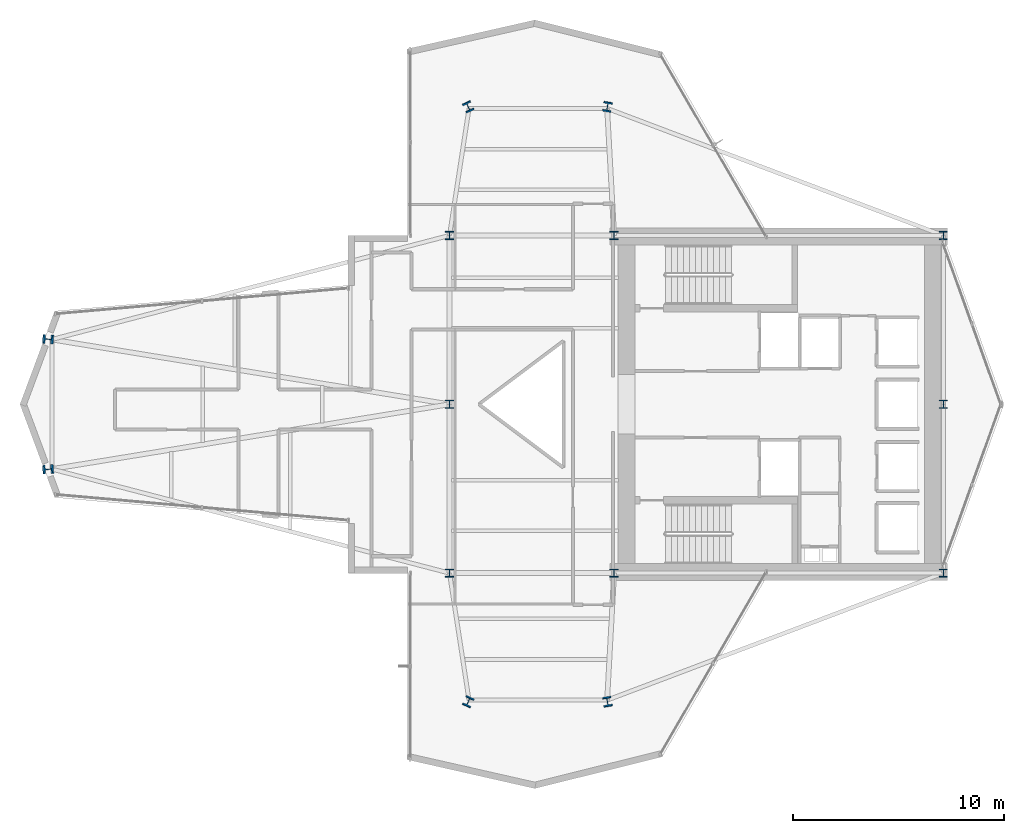
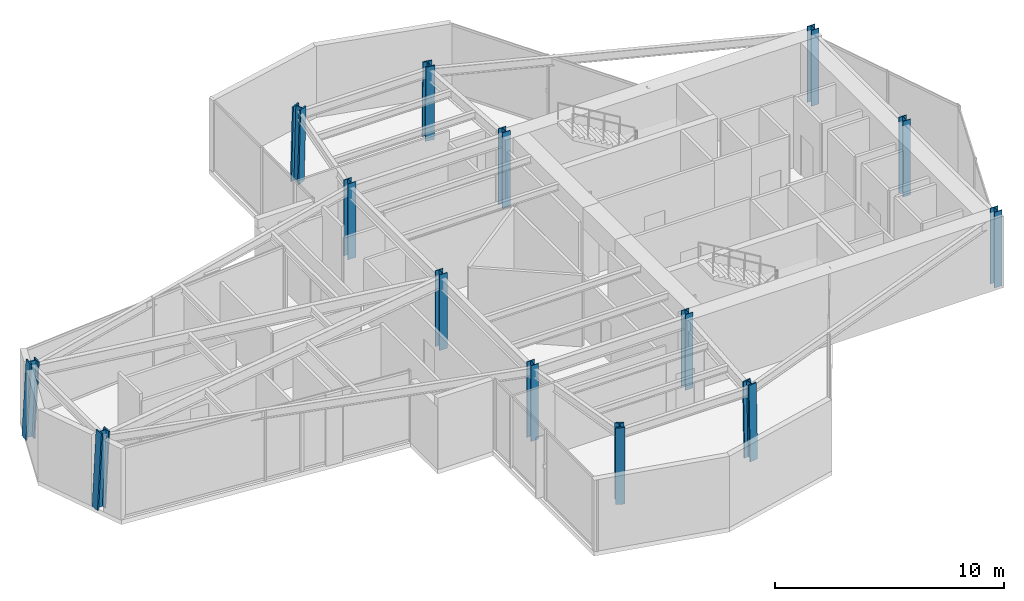
# One storey, part 1 of 25: 14 columns.
"""IFC4 building model written with IfcOpenShell, lengths in metres."""

from ifc_helpers import new_model, si_unit, direction, frame, origin, origin_2d, place, context, subcontext, project, spatial, i_section, extrude, material, material_profile, profile_set, type_object, element, save


model = new_model("IFC4")

# Units and contexts
model_context = context("Model", 3, precision=1e-05, world=origin(), true_north=direction((0.0, 1.0)))
body_context = subcontext(model_context, "Body", "Model", "MODEL_VIEW")
ifc_project = project(units=[si_unit("LENGTHUNIT", "METRE"), si_unit("AREAUNIT", "SQUARE_METRE"), si_unit("VOLUMEUNIT", "CUBIC_METRE"), si_unit("PLANEANGLEUNIT", "RADIAN"), si_unit("MASSUNIT", "GRAM", prefix="KILO")], contexts=[model_context])

# Site, building, storey
site_placement = place(None, origin())
site = spatial("IfcSite", under=ifc_project, at=site_placement, CompositionType="ELEMENT")
building_placement = place(site_placement, origin())
building = spatial("IfcBuilding", under=site, at=building_placement, Name="Veymaron Broadcast Tower", CompositionType="ELEMENT")
storey_placement = place(building_placement, frame((0.0, 0.0, 173.550048828125)))
storey = spatial("IfcBuildingStorey", under=building, at=storey_placement, Name="L40", CompositionType="ELEMENT", Elevation=173.550048828125)

# Columns
ifc_material_1 = material(Name="Structural steel ASTM A992 Gr 50", Category="steel")
ifc_material_profile_1 = material_profile(ifc_material_1, i_section(OverallWidth=0.39794921875, OverallDepth=0.386962890625, WebThickness=0.02099609375, FlangeThickness=0.033203125, at=origin_2d()), Name="W360X262")
ifc_profile_set_1 = profile_set([ifc_material_profile_1], Name="Structural steel ASTM A992 Gr 50")
column_type_1 = type_object("IfcColumnType", Name="COL-HC2", PredefinedType="COLUMN", material=ifc_profile_set_1)
for number, where, z_axis, x_axis, name in (
    (1, (31.199951171875, 16.0, 0.0), (0.0, 0.0, 1.0), (1.0, 0.0, 0.0), "L40 structural hub and core column"),
    (2, (31.199951171875, 24.0, 0.0), (0.0, 0.0, 1.0), (1.0, 0.0, 0.0), "L40 structural hub and core column"),
    (3, (31.199951171875, 32.0, 0.0), (0.0, 0.0, 1.0), (1.0, 0.0, 0.0), "L40 structural hub and core column"),
    (4, (39.0, 16.0, 0.0), (0.0, 0.0, 1.0), (1.0, 0.0, 0.0), "L40 structural hub and core column"),
    (5, (39.0, 32.0, 0.0), (0.0, 0.0, 1.0), (1.0, 0.0, 0.0), "L40 structural hub and core column"),
    (6, (54.60009765625, 16.0, 0.0), (0.0, 0.0, 1.0), (1.0, 0.0, 0.0), "L40 structural hub and core column"),
    (7, (54.60009765625, 24.0, 0.0), (0.0, 0.0, 1.0), (1.0, 0.0, 0.0), "L40 structural hub and core column"),
    (8, (54.60009765625, 32.0, 0.0), (0.0, 0.0, 1.0), (1.0, 0.0, 0.0), "L40 structural hub and core column"),
):
    element("IfcColumn", number, at=place(storey_placement, frame(where, z_axis=z_axis, x_axis=x_axis)), inside=storey, type_object=column_type_1, Name=name, PredefinedType="COLUMN", context=body_context, shape_type="SweptSolid", body=[
        extrude(i_section(OverallWidth=0.39794921875, OverallDepth=0.386962890625, WebThickness=0.02099609375, FlangeThickness=0.033203125, at=origin_2d()), origin(), (0.0, 0.0, 1.0), 4.0439453125),
    ])
ifc_material_2 = material(Name="Structural steel ASTM A913 Gr 65", Category="steel")
ifc_material_profile_2 = material_profile(ifc_material_2, i_section(OverallWidth=0.41796875, OverallDepth=0.455078125, WebThickness=0.0419921875, FlangeThickness=0.067626953125, at=origin_2d()), Name="W360X551")
ifc_profile_set_2 = profile_set([ifc_material_profile_2], Name="Structural steel ASTM A913 Gr 65")
column_type_2 = type_object("IfcColumnType", Name="COL-MC2", PredefinedType="COLUMN", material=ifc_profile_set_2)
for number, where, z_axis, x_axis, name in (
    (9, (12.14697265625, 20.9150390625, 0.015869140625), (0.051456482239, 0.003701468652, 0.998668378174), (-0.071748570475, 0.997422750209, 0.0), "L40 Tapered Wing Mega Column"),
    (10, (12.14697265625, 27.0849609375, 0.015869140625), (0.051456482239, -0.003701468652, 0.998668378174), (0.071748570475, 0.997422750209, 0.0), "L40 Tapered Wing Mega Column"),
):
    element("IfcColumn", number, at=place(storey_placement, frame(where, z_axis=z_axis, x_axis=x_axis)), inside=storey, type_object=column_type_2, Name=name, PredefinedType="COLUMN", context=body_context, shape_type="SweptSolid", body=[
        extrude(i_section(OverallWidth=0.41796875, OverallDepth=0.455078125, WebThickness=0.0419921875, FlangeThickness=0.067626953125, at=origin_2d()), origin(), (0.0, 0.0, 1.0), 4.0234375),
    ])
column_1_placement = place(storey_placement, frame((32.08203125, 38.110107421875, 0.015869140625), z_axis=(0.010447648562, -0.022413850693, 0.999694186207), x_axis=(0.906371306068, 0.422482018004, 0.0)))
element("IfcColumn", 11, at=column_1_placement, inside=storey, type_object=column_type_2, Name="L40 Tapered Wing Mega Column", PredefinedType="COLUMN", context=body_context, shape_type="SweptSolid", body=[
    extrude(i_section(OverallWidth=0.41796875, OverallDepth=0.455078125, WebThickness=0.0419921875, FlangeThickness=0.067626953125, at=origin_2d()), origin(), (0.0, 0.0, 1.0), 4.019287109375),
])
column_2_placement = place(storey_placement, frame((38.68505859375, 38.110107421875, 0.015869140625), z_axis=(-0.003766191696, -0.022414915097, 0.999741660321), x_axis=(0.986176372522, -0.165699011101, 0.0)))
element("IfcColumn", 12, at=column_2_placement, inside=storey, type_object=column_type_2, Name="L40 Tapered Wing Mega Column", PredefinedType="COLUMN", context=body_context, shape_type="SweptSolid", body=[
    extrude(i_section(OverallWidth=0.41796875, OverallDepth=0.455078125, WebThickness=0.0419921875, FlangeThickness=0.067626953125, at=origin_2d()), origin(), (0.0, 0.0, 1.0), 4.01904296875),
])
column_3_placement = place(storey_placement, frame((32.08203125, 9.889892578125, 0.015869140625), z_axis=(0.010447648562, 0.022413850693, 0.999694186207), x_axis=(-0.906371306068, 0.422482018004, 0.0)))
element("IfcColumn", 13, at=column_3_placement, inside=storey, type_object=column_type_2, Name="L40 Tapered Wing Mega Column", PredefinedType="COLUMN", context=body_context, shape_type="SweptSolid", body=[
    extrude(i_section(OverallWidth=0.41796875, OverallDepth=0.455078125, WebThickness=0.0419921875, FlangeThickness=0.067626953125, at=origin_2d()), origin(), (0.0, 0.0, 1.0), 4.019287109375),
])
column_4_placement = place(storey_placement, frame((38.68505859375, 9.889892578125, 0.015869140625), z_axis=(-0.003766191696, 0.022414915097, 0.999741660321), x_axis=(-0.986176372522, -0.165699011101, 0.0)))
element("IfcColumn", 14, at=column_4_placement, inside=storey, type_object=column_type_2, Name="L40 Tapered Wing Mega Column", PredefinedType="COLUMN", context=body_context, shape_type="SweptSolid", body=[
    extrude(i_section(OverallWidth=0.41796875, OverallDepth=0.455078125, WebThickness=0.0419921875, FlangeThickness=0.067626953125, at=origin_2d()), origin(), (0.0, 0.0, 1.0), 4.01904296875),
])

save(model, "model.ifc")
